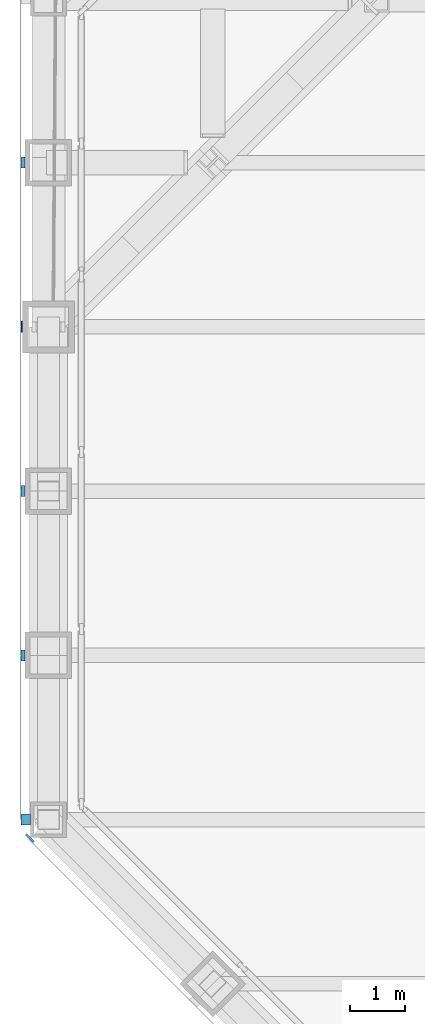
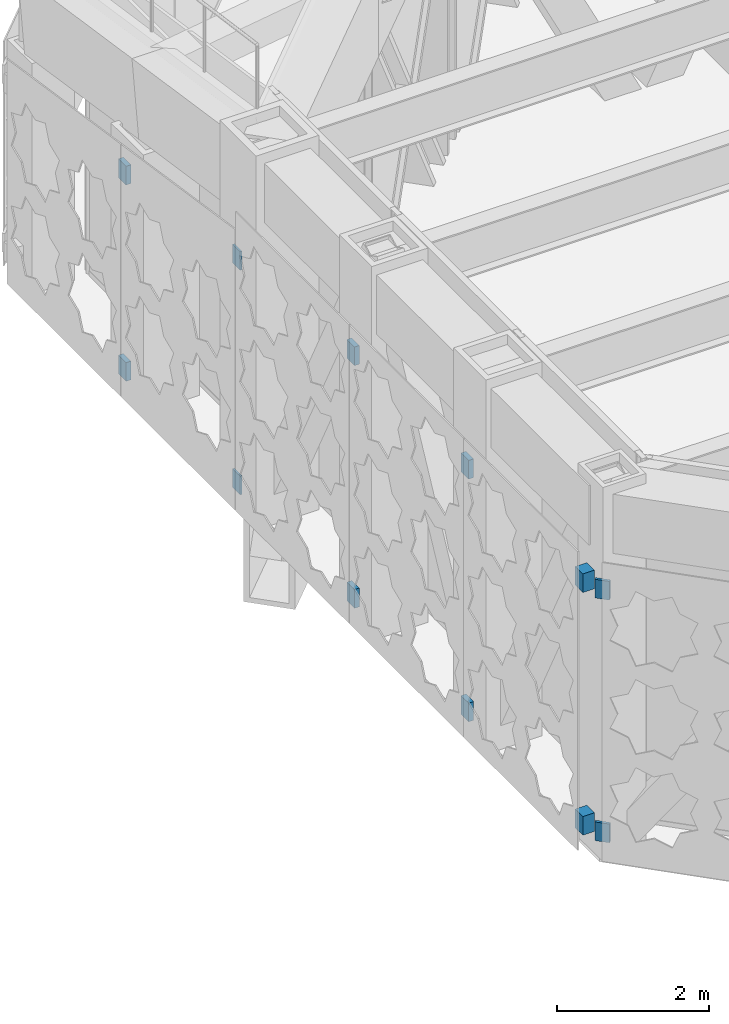
# One storey, part 15 of 29: 12 discrete accessories.
"""IFC4 building model written with IfcOpenShell, lengths in metres."""

from ifc_helpers import new_model, si_unit, direction, frame, origin, origin_2d, place, context, subcontext, project, spatial, rectangle, extrude, material, type_object, element, save


model = new_model("IFC4")

# Units and contexts
model_context = context("Model", 3, precision=1e-05, world=origin(), true_north=direction((0.0, 1.0)))
body_context = subcontext(model_context, "Body", "Model", "MODEL_VIEW")
ifc_project = project(units=[si_unit("LENGTHUNIT", "METRE"), si_unit("AREAUNIT", "SQUARE_METRE"), si_unit("VOLUMEUNIT", "CUBIC_METRE"), si_unit("PLANEANGLEUNIT", "RADIAN"), si_unit("MASSUNIT", "GRAM", prefix="KILO")], contexts=[model_context])

# Site, building, storey
site_placement = place(None, origin())
site = spatial("IfcSite", under=ifc_project, at=site_placement, CompositionType="ELEMENT")
building_placement = place(site_placement, origin())
building = spatial("IfcBuilding", under=site, at=building_placement, Name="Chuquiago Exchange Tower", CompositionType="ELEMENT")
storey_placement = place(building_placement, frame((0.0, 0.0, 251.699951171875)))
storey = spatial("IfcBuildingStorey", under=building, at=storey_placement, Name="L56", CompositionType="ELEMENT", Elevation=251.699951171875)

# Discrete accessories
ifc_material_1 = material(Name="Stainless steel plate bracket", Category="steel")
discrete_accessory_type_1 = type_object("IfcDiscreteAccessoryType", Name="GB3 cladding bracket 175", PredefinedType="BRACKET", material=ifc_material_1)
for number, where, z_axis, x_axis, name in (
    (1, (-0.41259765625, 18.0, 0.35009765625), (0.0, 0.0, 1.0), (0.0, -1.0, 0.0), "Cladding bracket L56 W"),
    (2, (-0.41259765625, 18.0, 4.240234375), (0.0, 0.0, 1.0), (0.0, -1.0, 0.0), "Cladding bracket L56 W"),
):
    element("IfcDiscreteAccessory", number, at=place(storey_placement, frame(where, z_axis=z_axis, x_axis=x_axis)), inside=storey, type_object=discrete_accessory_type_1, Name=name, PredefinedType="BRACKET", context=body_context, shape_type="SweptSolid", body=[
        extrude(rectangle(XDim=0.199951171875, YDim=0.175048828125, at=origin_2d()), origin(), (0.0, 0.0, 1.0), 0.300048828125),
    ])
ifc_material_2 = material(Name="Stainless steel plate bracket", Category="steel")
discrete_accessory_type_2 = type_object("IfcDiscreteAccessoryType", Name="GB4 cladding bracket 75", PredefinedType="BRACKET", material=ifc_material_2)
for number, where, z_axis, x_axis, name in (
    (3, (-0.46240234375, 30.0, 0.35009765625), (0.0, 0.0, 1.0), (0.0, -1.0, 0.0), "Cladding bracket L56 W"),
    (4, (-0.46240234375, 30.0, 3.49853515625), (0.0, 0.0, 1.0), (0.0, -1.0, 0.0), "Cladding bracket L56 W"),
    (5, (-0.46240234375, 24.0, 0.35009765625), (0.0, 0.0, 1.0), (0.0, -1.0, 0.0), "Cladding bracket L56 W"),
    (6, (-0.46240234375, 24.0, 4.240234375), (0.0, 0.0, 1.0), (0.0, -1.0, 0.0), "Cladding bracket L56 W"),
    (7, (-0.46240234375, 21.0, 0.35009765625), (0.0, 0.0, 1.0), (0.0, -1.0, 0.0), "Cladding bracket L56 W"),
    (8, (-0.46240234375, 21.0, 4.240234375), (0.0, 0.0, 1.0), (0.0, -1.0, 0.0), "Cladding bracket L56 W"),
):
    element("IfcDiscreteAccessory", number, at=place(storey_placement, frame(where, z_axis=z_axis, x_axis=x_axis)), inside=storey, type_object=discrete_accessory_type_2, Name=name, PredefinedType="BRACKET", context=body_context, shape_type="SweptSolid", body=[
        extrude(rectangle(XDim=0.199951171875, YDim=0.074951171875, at=origin_2d()), origin(), (0.0, 0.0, 1.0), 0.300048828125),
    ])
ifc_material_3 = material(Name="Stainless steel plate bracket", Category="steel")
discrete_accessory_type_3 = type_object("IfcDiscreteAccessoryType", Name="GB5 cladding bracket 40", PredefinedType="BRACKET", material=ifc_material_3)
for number, where, z_axis, x_axis, name in (
    (9, (-0.33935546875, 17.66064453125, 0.35009765625), (0.0, 0.0, 1.0), (0.707106781187, -0.707106781187, 0.0), "Cladding bracket L56 SW"),
    (10, (-0.33935546875, 17.66064453125, 4.240234375), (0.0, 0.0, 1.0), (0.707106781187, -0.707106781187, 0.0), "Cladding bracket L56 SW"),
):
    element("IfcDiscreteAccessory", number, at=place(storey_placement, frame(where, z_axis=z_axis, x_axis=x_axis)), inside=storey, type_object=discrete_accessory_type_3, Name=name, PredefinedType="BRACKET", context=body_context, shape_type="SweptSolid", body=[
        extrude(rectangle(XDim=0.199951171875, YDim=0.040283203125, at=origin_2d()), origin(), (0.0, 0.0, 1.0), 0.300048828125),
    ])
ifc_material_4 = material(Name="Stainless steel plate bracket", Category="steel")
discrete_accessory_type_4 = type_object("IfcDiscreteAccessoryType", Name="GB7 cladding bracket 25", PredefinedType="BRACKET", material=ifc_material_4)
for number, where, z_axis, x_axis, name in (
    (11, (-0.487548828125, 27.0, 0.35009765625), (0.0, 0.0, 1.0), (0.0, -1.0, 0.0), "Cladding bracket L56 W"),
    (12, (-0.487548828125, 27.0, 3.94921875), (0.0, 0.0, 1.0), (0.0, -1.0, 0.0), "Cladding bracket L56 W"),
):
    element("IfcDiscreteAccessory", number, at=place(storey_placement, frame(where, z_axis=z_axis, x_axis=x_axis)), inside=storey, type_object=discrete_accessory_type_4, Name=name, PredefinedType="BRACKET", context=body_context, shape_type="SweptSolid", body=[
        extrude(rectangle(XDim=0.199951171875, YDim=0.02490234375, at=origin_2d()), origin(), (0.0, 0.0, 1.0), 0.300048828125),
    ])

save(model, "model.ifc")
